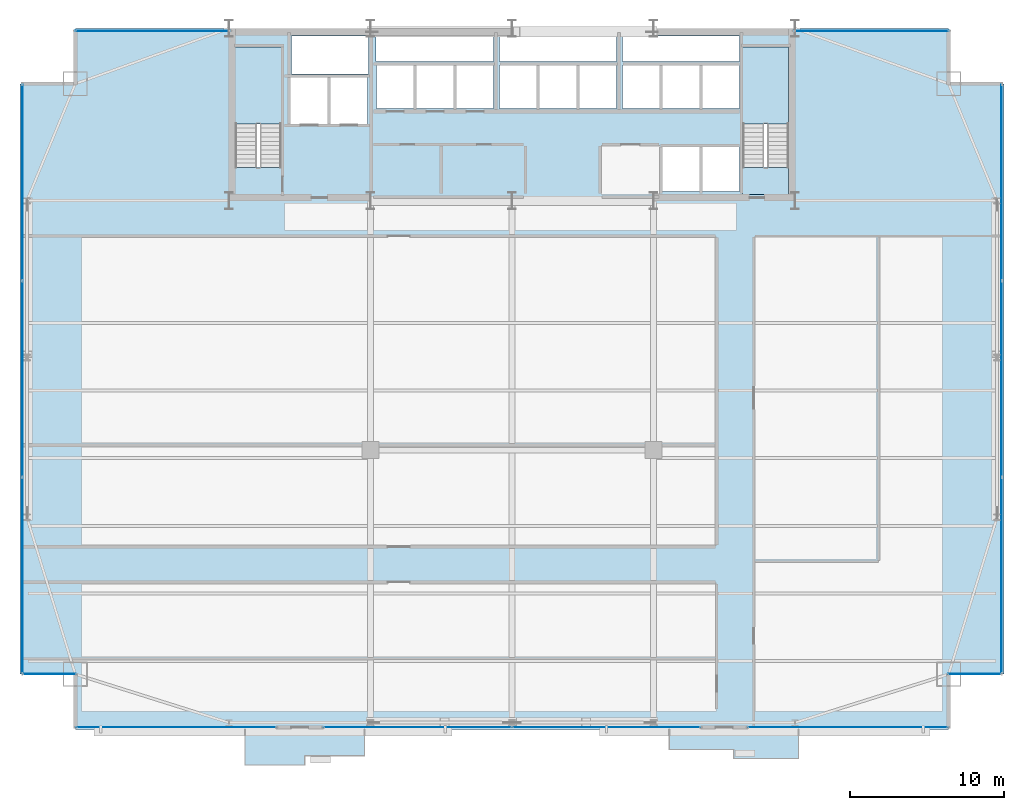
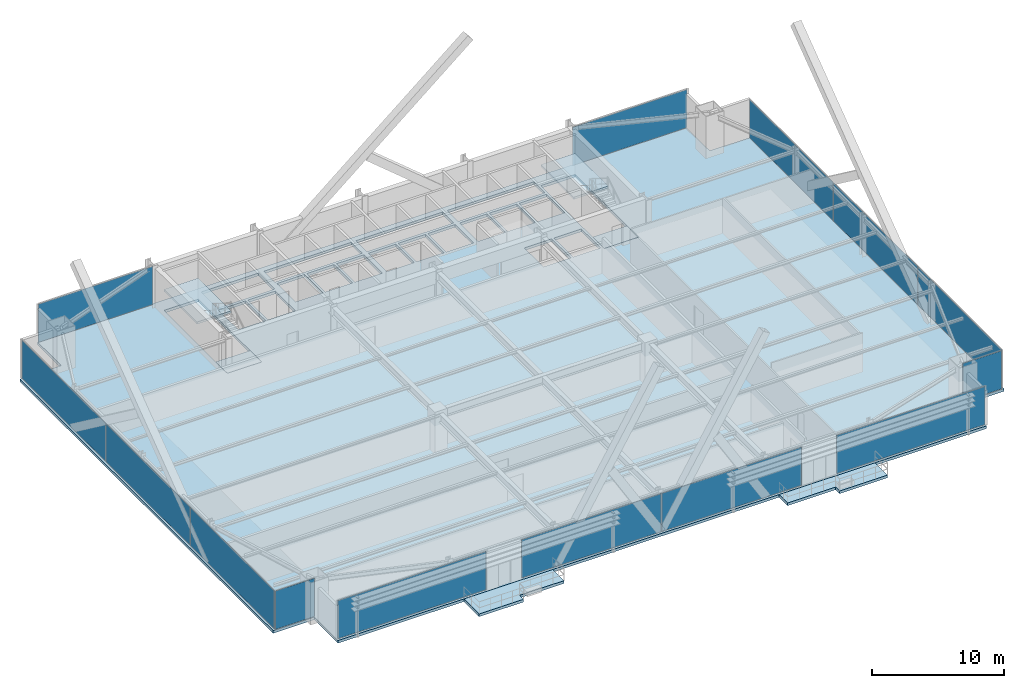
# One storey, part 25 of 32: 14 plates, 7 slabs, 11 elements without a shape of their own.
"""IFC4 building model written with IfcOpenShell, lengths in metres."""

from ifc_helpers import new_model, si_unit, direction, frame, origin, origin_2d, place, context, subcontext, project, spatial, polyline, rectangle, outline, extrude, source, transform, mapped, material, layer, layer_set, type_object, type_shapes, element, aggregate, save


model = new_model("IFC4")

# Units and contexts
model_context = context("Model", 3, precision=1e-05, world=origin(), true_north=direction((0.0, 1.0)))
body_context = subcontext(model_context, "Body", "Model", "MODEL_VIEW")
ifc_project = project(units=[si_unit("LENGTHUNIT", "METRE"), si_unit("AREAUNIT", "SQUARE_METRE"), si_unit("VOLUMEUNIT", "CUBIC_METRE"), si_unit("PLANEANGLEUNIT", "RADIAN"), si_unit("MASSUNIT", "GRAM", prefix="KILO")], contexts=[model_context])

# Site, building, storey
site_placement = place(None, origin())
site = spatial("IfcSite", under=ifc_project, at=site_placement, CompositionType="ELEMENT")
building_placement = place(site_placement, origin())
building = spatial("IfcBuilding", under=site, at=building_placement, Name="Varnel Quay Broadcast Tower", CompositionType="ELEMENT")
storey_placement = place(building_placement, frame((0.0, 0.0, 43.199951171875)))
storey = spatial("IfcBuildingStorey", under=building, at=storey_placement, Name="L09", CompositionType="ELEMENT", Elevation=43.199951171875)

# Slabs
ifc_material_1 = material(Name="Concrete CSA A23.3 C40/50", Category="concrete")
ifc_layer_1 = layer(ifc_material_1, 0.25, Name="Concrete CSA A23.3 C40/50")
ifc_layer_set_1 = layer_set([ifc_layer_1], Name="Concrete CSA A23.3 C40/50")
slab_type_1 = type_object("IfcSlabType", Name="Slab_ExtTerrace250", PredefinedType="FLOOR", material=ifc_layer_set_1)
slab_1_placement = place(storey_placement, frame((0.0, 0.0, -0.25)))
element("IfcSlab", 1, at=slab_1_placement, inside=storey, type_object=slab_type_1, Name="L09 Planted Lobe Terrace Slab 1", PredefinedType="FLOOR", context=body_context, shape_type="SweptSolid", body=[
    extrude(outline(polyline([(16.6298828125, -1.110107421875), (20.514892578125, -1.110107421875), (20.514892578125, -0.510009765625), (24.39990234375, -0.510009765625), (24.39990234375, 1.199951171875), (16.6298828125, 1.199951171875), (16.6298828125, -1.110107421875)])), origin(), (0.0, 0.0, 1.0), 0.25),
])
slab_2_placement = place(storey_placement, frame((0.0, 0.0, -0.25)))
element("IfcSlab", 2, at=slab_2_placement, inside=storey, type_object=slab_type_1, Name="L09 Planted Lobe Terrace Slab 2", PredefinedType="FLOOR", context=body_context, shape_type="SweptSolid", body=[
    extrude(outline(polyline([(44.22998046875, -0.090087890625), (48.429931640625, -0.090087890625), (48.429931640625, -0.68994140625), (52.6298828125, -0.68994140625), (52.6298828125, 1.199951171875), (44.22998046875, 1.199951171875), (44.22998046875, -0.090087890625)])), origin(), (0.0, 0.0, 1.0), 0.25),
])
ifc_material_2 = material(Name="Concrete CSA A23.3 C50/60", Category="concrete")
ifc_layer_2 = layer(ifc_material_2, 0.25, Name="Concrete CSA A23.3 C50/60")
ifc_layer_set_2 = layer_set([ifc_layer_2], Name="Concrete CSA A23.3 C50/60")
slab_type_2 = type_object("IfcSlabType", Name="Slab_Floor250", PredefinedType="FLOOR", material=ifc_layer_set_2)
slab_3_placement = place(storey_placement, frame((0.0, 0.0, -0.25)))
element("IfcSlab", 3, at=slab_3_placement, inside=storey, type_object=slab_type_2, Name="L09 Structural Slab", PredefinedType="FLOOR", context=body_context, shape_type="SweptSolid", body=[
    extrude(outline(polyline([(5.60009765625, 1.199951171875), (62.39990234375, 1.199951171875), (62.39990234375, 4.800048828125), (66.0, 4.800048828125), (66.0, 43.199951171875), (62.39990234375, 43.199951171875), (62.39990234375, 46.800048828125), (5.60009765625, 46.800048828125), (5.60009765625, 43.199951171875), (2.0, 43.199951171875), (2.0, 4.800048828125), (5.60009765625, 4.800048828125), (5.60009765625, 1.199951171875)]), holes=[polyline([(16.0, 36.0), (16.0, 45.60009765625), (19.0, 45.60009765625), (19.0, 36.0), (16.0, 36.0)]), polyline([(19.60009765625, 43.60009765625), (22.0, 43.60009765625), (22.0, 40.60009765625), (19.60009765625, 40.60009765625), (19.60009765625, 43.60009765625)]), polyline([(22.199951171875, 43.60009765625), (24.60009765625, 43.60009765625), (24.60009765625, 40.60009765625), (22.199951171875, 40.60009765625), (22.199951171875, 43.60009765625)]), polyline([(25.199951171875, 44.39990234375), (27.60009765625, 44.39990234375), (27.60009765625, 41.60009765625), (25.199951171875, 41.60009765625), (25.199951171875, 44.39990234375)]), polyline([(27.800048828125, 44.39990234375), (30.199951171875, 44.39990234375), (30.199951171875, 41.60009765625), (27.800048828125, 41.60009765625), (27.800048828125, 44.39990234375)]), polyline([(30.39990234375, 44.39990234375), (32.800048828125, 44.39990234375), (32.800048828125, 41.60009765625), (30.39990234375, 41.60009765625), (30.39990234375, 44.39990234375)]), polyline([(33.199951171875, 44.39990234375), (35.60009765625, 44.39990234375), (35.60009765625, 41.60009765625), (33.199951171875, 41.60009765625), (33.199951171875, 44.39990234375)]), polyline([(38.199951171875, 44.39990234375), (38.199951171875, 41.60009765625), (35.800048828125, 41.60009765625), (35.800048828125, 44.39990234375), (38.199951171875, 44.39990234375)]), polyline([(24.679931640625, 46.300048828125), (24.679931640625, 43.85009765625), (19.64990234375, 43.85009765625), (19.64990234375, 46.300048828125), (24.679931640625, 46.300048828125)]), polyline([(25.14990234375, 46.300048828125), (32.800048828125, 46.300048828125), (32.800048828125, 44.64990234375), (25.14990234375, 44.64990234375), (25.14990234375, 46.300048828125)]), polyline([(43.800048828125, 39.10009765625), (46.199951171875, 39.10009765625), (46.199951171875, 36.199951171875), (43.800048828125, 36.199951171875), (43.800048828125, 39.10009765625)]), polyline([(46.39990234375, 39.10009765625), (48.800048828125, 39.10009765625), (48.800048828125, 36.199951171875), (46.39990234375, 36.199951171875), (46.39990234375, 39.10009765625)]), polyline([(49.0, 45.60009765625), (52.0, 45.60009765625), (52.0, 36.0), (49.0, 36.0), (49.0, 45.60009765625)]), polyline([(40.800048828125, 44.39990234375), (40.800048828125, 41.60009765625), (38.39990234375, 41.60009765625), (38.39990234375, 44.39990234375), (40.800048828125, 44.39990234375)]), polyline([(41.199951171875, 44.39990234375), (43.60009765625, 44.39990234375), (43.60009765625, 41.60009765625), (41.199951171875, 41.60009765625), (41.199951171875, 44.39990234375)]), polyline([(43.800048828125, 44.39990234375), (46.199951171875, 44.39990234375), (46.199951171875, 41.60009765625), (43.800048828125, 41.60009765625), (43.800048828125, 44.39990234375)]), polyline([(46.39990234375, 44.39990234375), (48.800048828125, 44.39990234375), (48.800048828125, 41.60009765625), (46.39990234375, 41.60009765625), (46.39990234375, 44.39990234375)]), polyline([(40.800048828125, 46.300048828125), (40.800048828125, 44.64990234375), (33.199951171875, 44.64990234375), (33.199951171875, 46.300048828125), (40.800048828125, 46.300048828125)]), polyline([(48.800048828125, 46.300048828125), (48.800048828125, 44.64990234375), (41.199951171875, 44.64990234375), (41.199951171875, 46.300048828125), (48.800048828125, 46.300048828125)])]), origin(), (0.0, 0.0, 1.0), 0.25),
])
ifc_layer_3 = layer(ifc_material_2, 0.25, Name="Concrete CSA A23.3 C50/60")
ifc_layer_set_3 = layer_set([ifc_layer_3], Name="Concrete CSA A23.3 C50/60")
slab_type_3 = type_object("IfcSlabType", Name="Slab_StairFloorLanding250", PredefinedType="FLOOR", material=ifc_layer_set_3)
slab_4_placement = place(storey_placement, frame((0.0, 0.0, -0.25)))
element("IfcSlab", 4, at=slab_4_placement, inside=storey, type_object=slab_type_3, Name="L09 ST-01 Structural Floor Landing Slab", PredefinedType="FLOOR", context=body_context, shape_type="SweptSolid", body=[
    extrude(outline(polyline([(19.0, 36.0), (19.0, 37.75), (16.0, 37.75), (16.0, 36.0), (19.0, 36.0)])), origin(), (0.0, 0.0, 1.0), 0.25),
])
slab_5_placement = place(storey_placement, frame((0.0, 0.0, -0.25)))
element("IfcSlab", 5, at=slab_5_placement, inside=storey, type_object=slab_type_3, Name="L09 ST-02 Structural Floor Landing Slab", PredefinedType="FLOOR", context=body_context, shape_type="SweptSolid", body=[
    extrude(outline(polyline([(52.0, 36.0), (52.0, 37.75), (49.0, 37.75), (49.0, 36.0), (52.0, 36.0)])), origin(), (0.0, 0.0, 1.0), 0.25),
])

# Stair, slab
ifc_material_3 = material(Name="Precast Structural Concrete C40/50", Category="concrete")
stair_type_1 = type_object("IfcStairType", Name="Stair_ST-01", PredefinedType="HALF_TURN_STAIR", material=ifc_material_3)
stair_1_placement = place(storey_placement, origin())
stair_1 = element("IfcStair", 6, at=stair_1_placement, inside=storey, type_object=stair_type_1, Name="L09 West Core Exit Stair 1", PredefinedType="HALF_TURN_STAIR")
ifc_layer_4 = layer(ifc_material_3, 0.199951171875, Name="Precast Structural Concrete C40/50")
ifc_layer_set_4 = layer_set([ifc_layer_4], Name="Precast Structural Concrete C40/50")
slab_type_4 = type_object("IfcSlabType", Name="Slab_StairLanding200", PredefinedType="LANDING", material=ifc_layer_set_4)
slab_6_placement = place(storey_placement, frame((0.0, 0.0, 1.75)))
slab_6 = element("IfcSlab", 7, at=slab_6_placement, type_object=slab_type_4, Name="ST-01 landing 1", PredefinedType="LANDING", context=body_context, shape_type="SweptSolid", body=[
    extrude(outline(polyline([(19.0, 40.60009765625), (19.0, 45.60009765625), (16.0, 45.60009765625), (16.0, 40.60009765625), (19.0, 40.60009765625)])), origin(), (0.0, 0.0, 1.0), 0.199951171875),
])
aggregate(stair_1, [slab_6])

stair_type_2 = type_object("IfcStairType", Name="Stair_ST-02", PredefinedType="HALF_TURN_STAIR", material=ifc_material_3)
stair_2_placement = place(storey_placement, origin())
stair_2 = element("IfcStair", 8, at=stair_2_placement, inside=storey, type_object=stair_type_2, Name="L09 East Core Exit Stair 2", PredefinedType="HALF_TURN_STAIR")
slab_7_placement = place(storey_placement, frame((0.0, 0.0, 1.75)))
slab_7 = element("IfcSlab", 9, at=slab_7_placement, type_object=slab_type_4, Name="ST-02 landing 1", PredefinedType="LANDING", context=body_context, shape_type="SweptSolid", body=[
    extrude(outline(polyline([(52.0, 40.60009765625), (52.0, 45.60009765625), (49.0, 45.60009765625), (49.0, 40.60009765625), (52.0, 40.60009765625)])), origin(), (0.0, 0.0, 1.0), 0.199951171875),
])
aggregate(stair_2, [slab_7])

# Curtain wall, plate
ifc_material_4 = material(Name="Anodised Bronze Aluminium 6063-T6", Category="aluminium")
ifc_layer_5 = layer(ifc_material_4, 0.18994140625, Name="Anodised Bronze Aluminium 6063-T6")
ifc_layer_set_5 = layer_set([ifc_layer_5], Name="Anodised Bronze Aluminium 6063-T6")
curtain_wall_type_1 = type_object("IfcCurtainWallType", Name="CW_LowerTower", PredefinedType="NOTDEFINED", material=ifc_layer_set_5)
curtain_wall_1_placement = place(storey_placement, origin())
curtain_wall_1 = element("IfcCurtainWall", 10, at=curtain_wall_1_placement, inside=storey, type_object=curtain_wall_type_1, Name="L09 South Unitised Curtain Wall 1", PredefinedType="NOTDEFINED")
ifc_material_5 = material(Name="Triple-Glazed Bronze Low-E Architectural Glass", Category="glass")
ifc_layer_6 = layer(ifc_material_5, 0.031982421875, Name="Triple-Glazed Bronze Low-E Architectural Glass")
ifc_layer_set_6 = layer_set([ifc_layer_6], Name="Triple-Glazed Bronze Low-E Architectural Glass")
plate_type_1 = type_object("IfcPlateType", Name="Panel_CWS-02", PredefinedType="CURTAIN_PANEL", material=ifc_layer_set_6)
shared_shape_1 = source(origin(), body_context, "Body", "SweptSolid", [
    extrude(rectangle(XDim=12.97998046875, YDim=0.031982421875, at=origin_2d()), origin(), (0.0, 0.0, 1.0), 3.530029296875),
])
plate_1_placement = place(storey_placement, frame((12.159912109375, 1.35009765625, 0.06005859375), z_axis=(0.0, 0.0, 1.0), x_axis=(1.0, 0.0, 0.0)))
plate_1 = element("IfcPlate", 11, at=plate_1_placement, type_object=plate_type_1, Name="CWS-02 panel 1.1", PredefinedType="CURTAIN_PANEL", context=body_context, shape_type="MappedRepresentation", body=[
    mapped(shared_shape_1, transform((0.0, 0.0, 0.0), x_axis=(1.0, 0.0, 0.0), y_axis=(0.0, 1.0, 0.0), z_axis=(0.0, 0.0, 1.0), scale=1.0)),
])
aggregate(curtain_wall_1, [plate_1])

curtain_wall_2_placement = place(storey_placement, origin())
curtain_wall_2 = element("IfcCurtainWall", 12, at=curtain_wall_2_placement, inside=storey, type_object=curtain_wall_type_1, Name="L09 South Unitised Curtain Wall 3", PredefinedType="NOTDEFINED")
plate_2_placement = place(storey_placement, frame((55.840087890625, 1.35009765625, 0.06005859375), z_axis=(0.0, 0.0, 1.0), x_axis=(1.0, 0.0, 0.0)))
plate_2 = element("IfcPlate", 13, at=plate_2_placement, type_object=plate_type_1, Name="CWS-02 panel 1.1", PredefinedType="CURTAIN_PANEL", context=body_context, shape_type="MappedRepresentation", body=[
    mapped(shared_shape_1, transform((0.0, 0.0, 0.0), x_axis=(1.0, 0.0, 0.0), y_axis=(0.0, 1.0, 0.0), z_axis=(0.0, 0.0, 1.0), scale=1.0)),
])
aggregate(curtain_wall_2, [plate_2])

# Curtain wall, plates
curtain_wall_3_placement = place(storey_placement, origin())
curtain_wall_3 = element("IfcCurtainWall", 14, at=curtain_wall_3_placement, inside=storey, type_object=curtain_wall_type_1, Name="L09 South Unitised Curtain Wall 2", PredefinedType="NOTDEFINED")
ifc_material_6 = material(Name="Insulated Bronze Spandrel Glass", Category="glass")
ifc_layer_7 = layer(ifc_material_6, 0.031982421875, Name="Insulated Bronze Spandrel Glass")
ifc_layer_set_7 = layer_set([ifc_layer_7], Name="Insulated Bronze Spandrel Glass")
plate_type_2 = type_object("IfcPlateType", Name="PanelSp_CWS-02", PredefinedType="CURTAIN_PANEL", material=ifc_layer_set_7)
shared_shape_2 = source(origin(), body_context, "Body", "SweptSolid", [
    extrude(rectangle(XDim=12.215087890625, YDim=0.031982421875, at=origin_2d()), origin(), (0.0, 0.0, 1.0), 3.530029296875),
])
plate_3_placement = place(storey_placement, frame((27.857421875, 1.35009765625, 0.06005859375), z_axis=(0.0, 0.0, 1.0), x_axis=(1.0, 0.0, 0.0)))
plate_3 = element("IfcPlate", 15, at=plate_3_placement, type_object=plate_type_2, Name="CWS-02 panel 1.1", PredefinedType="CURTAIN_PANEL", context=body_context, shape_type="MappedRepresentation", body=[
    mapped(shared_shape_2, transform((0.0, 0.0, 0.0), x_axis=(1.0, 0.0, 0.0), y_axis=(0.0, 1.0, 0.0), z_axis=(0.0, 0.0, 1.0), scale=1.0)),
])
plate_4_placement = place(storey_placement, frame((40.142578125, 1.35009765625, 0.06005859375), z_axis=(0.0, 0.0, 1.0), x_axis=(1.0, 0.0, 0.0)))
plate_4 = element("IfcPlate", 16, at=plate_4_placement, type_object=plate_type_2, Name="CWS-02 panel 2.1", PredefinedType="CURTAIN_PANEL", context=body_context, shape_type="MappedRepresentation", body=[
    mapped(shared_shape_2, transform((0.0, 0.0, 0.0), x_axis=(1.0, 0.0, 0.0), y_axis=(0.0, 1.0, 0.0), z_axis=(0.0, 0.0, 1.0), scale=1.0)),
])
aggregate(curtain_wall_3, [plate_3, plate_4])

curtain_wall_4_placement = place(storey_placement, origin())
curtain_wall_4 = element("IfcCurtainWall", 17, at=curtain_wall_4_placement, inside=storey, type_object=curtain_wall_type_1, Name="L09 West Unitised Curtain Wall", PredefinedType="NOTDEFINED")
shared_shape_3 = source(origin(), body_context, "Body", "SweptSolid", [
    extrude(rectangle(XDim=12.695068359375, YDim=0.031982421875, at=origin_2d()), origin(), (0.0, 0.0, 1.0), 3.530029296875),
])
plate_5_placement = place(storey_placement, frame((2.14990234375, 11.217529296875, 0.06005859375), z_axis=(0.0, 0.0, 1.0), x_axis=(0.0, 1.0, 0.0)))
plate_5 = element("IfcPlate", 18, at=plate_5_placement, type_object=plate_type_2, Name="CWS-02 panel 1.1", PredefinedType="CURTAIN_PANEL", context=body_context, shape_type="MappedRepresentation", body=[
    mapped(shared_shape_3, transform((0.0, 0.0, 0.0), x_axis=(1.0, 0.0, 0.0), y_axis=(0.0, 1.0, 0.0), z_axis=(0.0, 0.0, 1.0), scale=1.0)),
])
plate_6_placement = place(storey_placement, frame((2.14990234375, 36.782470703125, 0.06005859375), z_axis=(0.0, 0.0, 1.0), x_axis=(0.0, 1.0, 0.0)))
plate_6 = element("IfcPlate", 19, at=plate_6_placement, type_object=plate_type_2, Name="CWS-02 panel 3.1", PredefinedType="CURTAIN_PANEL", context=body_context, shape_type="MappedRepresentation", body=[
    mapped(shared_shape_3, transform((0.0, 0.0, 0.0), x_axis=(1.0, 0.0, 0.0), y_axis=(0.0, 1.0, 0.0), z_axis=(0.0, 0.0, 1.0), scale=1.0)),
])

curtain_wall_5_placement = place(storey_placement, origin())
curtain_wall_5 = element("IfcCurtainWall", 20, at=curtain_wall_5_placement, inside=storey, type_object=curtain_wall_type_1, Name="L09 East Unitised Curtain Wall", PredefinedType="NOTDEFINED")
plate_7_placement = place(storey_placement, frame((65.85009765625, 11.217529296875, 0.06005859375), z_axis=(0.0, 0.0, 1.0), x_axis=(0.0, 1.0, 0.0)))
plate_7 = element("IfcPlate", 21, at=plate_7_placement, type_object=plate_type_2, Name="CWS-02 panel 1.1", PredefinedType="CURTAIN_PANEL", context=body_context, shape_type="MappedRepresentation", body=[
    mapped(shared_shape_3, transform((0.0, 0.0, 0.0), x_axis=(1.0, 0.0, 0.0), y_axis=(0.0, 1.0, 0.0), z_axis=(0.0, 0.0, 1.0), scale=1.0)),
])
plate_8_placement = place(storey_placement, frame((65.85009765625, 36.782470703125, 0.06005859375), z_axis=(0.0, 0.0, 1.0), x_axis=(0.0, 1.0, 0.0)))
plate_8 = element("IfcPlate", 22, at=plate_8_placement, type_object=plate_type_2, Name="CWS-02 panel 3.1", PredefinedType="CURTAIN_PANEL", context=body_context, shape_type="MappedRepresentation", body=[
    mapped(shared_shape_3, transform((0.0, 0.0, 0.0), x_axis=(1.0, 0.0, 0.0), y_axis=(0.0, 1.0, 0.0), z_axis=(0.0, 0.0, 1.0), scale=1.0)),
])

# Plate
shared_shape_4 = source(origin(), body_context, "Body", "SweptSolid", [
    extrude(rectangle(XDim=12.72998046875, YDim=0.031982421875, at=origin_2d()), origin(), (0.0, 0.0, 1.0), 3.530029296875),
])
type_shapes(plate_type_2, [shared_shape_2, shared_shape_3, shared_shape_4])
plate_9_placement = place(storey_placement, frame((2.14990234375, 24.0, 0.06005859375), z_axis=(0.0, 0.0, 1.0), x_axis=(0.0, 1.0, 0.0)))
plate_9 = element("IfcPlate", 23, at=plate_9_placement, type_object=plate_type_2, Name="CWS-02 panel 2.1", PredefinedType="CURTAIN_PANEL", context=body_context, shape_type="MappedRepresentation", body=[
    mapped(shared_shape_4, transform((0.0, 0.0, 0.0), x_axis=(1.0, 0.0, 0.0), y_axis=(0.0, 1.0, 0.0), z_axis=(0.0, 0.0, 1.0), scale=1.0)),
])

aggregate(curtain_wall_4, [plate_5, plate_9, plate_6])

plate_10_placement = place(storey_placement, frame((65.85009765625, 24.0, 0.06005859375), z_axis=(0.0, 0.0, 1.0), x_axis=(0.0, 1.0, 0.0)))
plate_10 = element("IfcPlate", 24, at=plate_10_placement, type_object=plate_type_2, Name="CWS-02 panel 2.1", PredefinedType="CURTAIN_PANEL", context=body_context, shape_type="MappedRepresentation", body=[
    mapped(shared_shape_4, transform((0.0, 0.0, 0.0), x_axis=(1.0, 0.0, 0.0), y_axis=(0.0, 1.0, 0.0), z_axis=(0.0, 0.0, 1.0), scale=1.0)),
])

aggregate(curtain_wall_5, [plate_7, plate_10, plate_8])

# Curtain wall, plate
ifc_layer_8 = layer(ifc_material_4, 0.18994140625, Name="Anodised Bronze Aluminium 6063-T6")
ifc_layer_set_8 = layer_set([ifc_layer_8], Name="Anodised Bronze Aluminium 6063-T6")
curtain_wall_type_2 = type_object("IfcCurtainWallType", Name="CW_NotchCorner", PredefinedType="NOTDEFINED", material=ifc_layer_set_8)
curtain_wall_6_placement = place(storey_placement, origin())
curtain_wall_6 = element("IfcCurtainWall", 25, at=curtain_wall_6_placement, inside=storey, type_object=curtain_wall_type_2, Name="L09 SW Notch Curtain Wall", PredefinedType="NOTDEFINED")
ifc_layer_9 = layer(ifc_material_5, 0.028076171875, Name="Triple-Glazed Bronze Low-E Architectural Glass")
ifc_layer_set_9 = layer_set([ifc_layer_9], Name="Triple-Glazed Bronze Low-E Architectural Glass")
plate_type_3 = type_object("IfcPlateType", Name="Panel_CWS-04", PredefinedType="CURTAIN_PANEL", material=ifc_layer_set_9)
shared_shape_5 = source(origin(), body_context, "Body", "SweptSolid", [
    extrude(rectangle(XDim=3.409912109375, YDim=0.028076171875, at=origin_2d()), origin(), (0.0, 0.0, 1.0), 3.5400390625),
])
type_shapes(plate_type_3, [shared_shape_5])
plate_11_placement = place(storey_placement, frame((3.9150390625, 4.800048828125, 0.054931640625), z_axis=(0.0, 0.0, 1.0), x_axis=(1.0, 0.0, 0.0)))
plate_11 = element("IfcPlate", 26, at=plate_11_placement, type_object=plate_type_3, Name="CWS-04 panel 1.1", PredefinedType="CURTAIN_PANEL", context=body_context, shape_type="MappedRepresentation", body=[
    mapped(shared_shape_5, transform((0.0, 0.0, 0.0), x_axis=(1.0, 0.0, 0.0), y_axis=(0.0, 1.0, 0.0), z_axis=(0.0, 0.0, 1.0), scale=1.0)),
])
aggregate(curtain_wall_6, [plate_11])

curtain_wall_7_placement = place(storey_placement, origin())
curtain_wall_7 = element("IfcCurtainWall", 27, at=curtain_wall_7_placement, inside=storey, type_object=curtain_wall_type_2, Name="L09 SE Notch Curtain Wall", PredefinedType="NOTDEFINED")
plate_12_placement = place(storey_placement, frame((64.0849609375, 4.800048828125, 0.054931640625), z_axis=(0.0, 0.0, 1.0), x_axis=(1.0, 0.0, 0.0)))
plate_12 = element("IfcPlate", 28, at=plate_12_placement, type_object=plate_type_3, Name="CWS-04 panel 1.1", PredefinedType="CURTAIN_PANEL", context=body_context, shape_type="MappedRepresentation", body=[
    mapped(shared_shape_5, transform((0.0, 0.0, 0.0), x_axis=(1.0, 0.0, 0.0), y_axis=(0.0, 1.0, 0.0), z_axis=(0.0, 0.0, 1.0), scale=1.0)),
])
aggregate(curtain_wall_7, [plate_12])

curtain_wall_8_placement = place(storey_placement, origin())
curtain_wall_8 = element("IfcCurtainWall", 29, at=curtain_wall_8_placement, inside=storey, type_object=curtain_wall_type_1, Name="L09 NW Wing Curtain Wall", PredefinedType="NOTDEFINED")
shared_shape_6 = source(origin(), body_context, "Body", "SweptSolid", [
    extrude(rectangle(XDim=10.0400390625, YDim=0.031982421875, at=origin_2d()), origin(), (0.0, 0.0, 1.0), 3.530029296875),
])
type_shapes(plate_type_1, [shared_shape_1, shared_shape_6])
plate_13_placement = place(storey_placement, frame((10.610107421875, 46.64990234375, 0.06005859375), z_axis=(0.0, 0.0, 1.0), x_axis=(1.0, 0.0, 0.0)))
plate_13 = element("IfcPlate", 30, at=plate_13_placement, type_object=plate_type_1, Name="CWS-02 panel 1.1", PredefinedType="CURTAIN_PANEL", context=body_context, shape_type="MappedRepresentation", body=[
    mapped(shared_shape_6, transform((0.0, 0.0, 0.0), x_axis=(1.0, 0.0, 0.0), y_axis=(0.0, 1.0, 0.0), z_axis=(0.0, 0.0, 1.0), scale=1.0)),
])
aggregate(curtain_wall_8, [plate_13])

curtain_wall_9_placement = place(storey_placement, origin())
curtain_wall_9 = element("IfcCurtainWall", 31, at=curtain_wall_9_placement, inside=storey, type_object=curtain_wall_type_1, Name="L09 NE Wing Curtain Wall", PredefinedType="NOTDEFINED")
plate_14_placement = place(storey_placement, frame((57.389892578125, 46.64990234375, 0.06005859375), z_axis=(0.0, 0.0, 1.0), x_axis=(1.0, 0.0, 0.0)))
plate_14 = element("IfcPlate", 32, at=plate_14_placement, type_object=plate_type_1, Name="CWS-02 panel 1.1", PredefinedType="CURTAIN_PANEL", context=body_context, shape_type="MappedRepresentation", body=[
    mapped(shared_shape_6, transform((0.0, 0.0, 0.0), x_axis=(1.0, 0.0, 0.0), y_axis=(0.0, 1.0, 0.0), z_axis=(0.0, 0.0, 1.0), scale=1.0)),
])
aggregate(curtain_wall_9, [plate_14])

save(model, "model.ifc")
